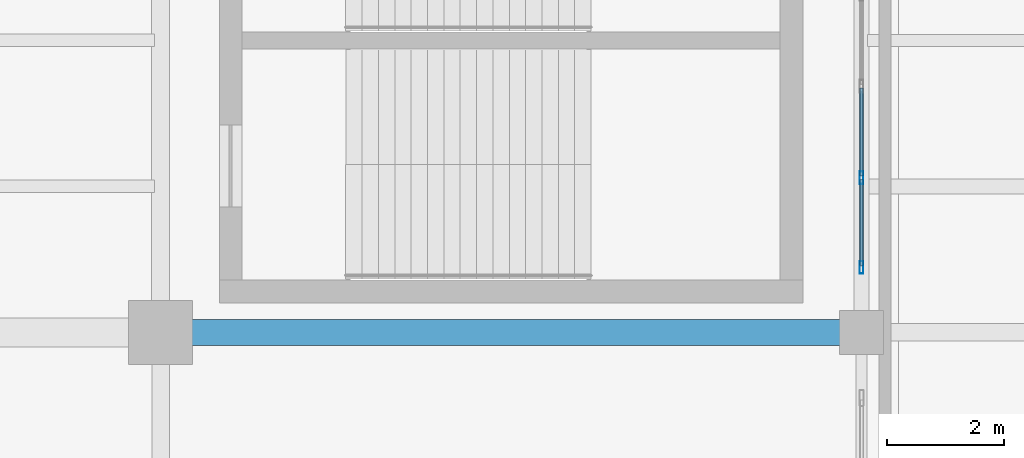
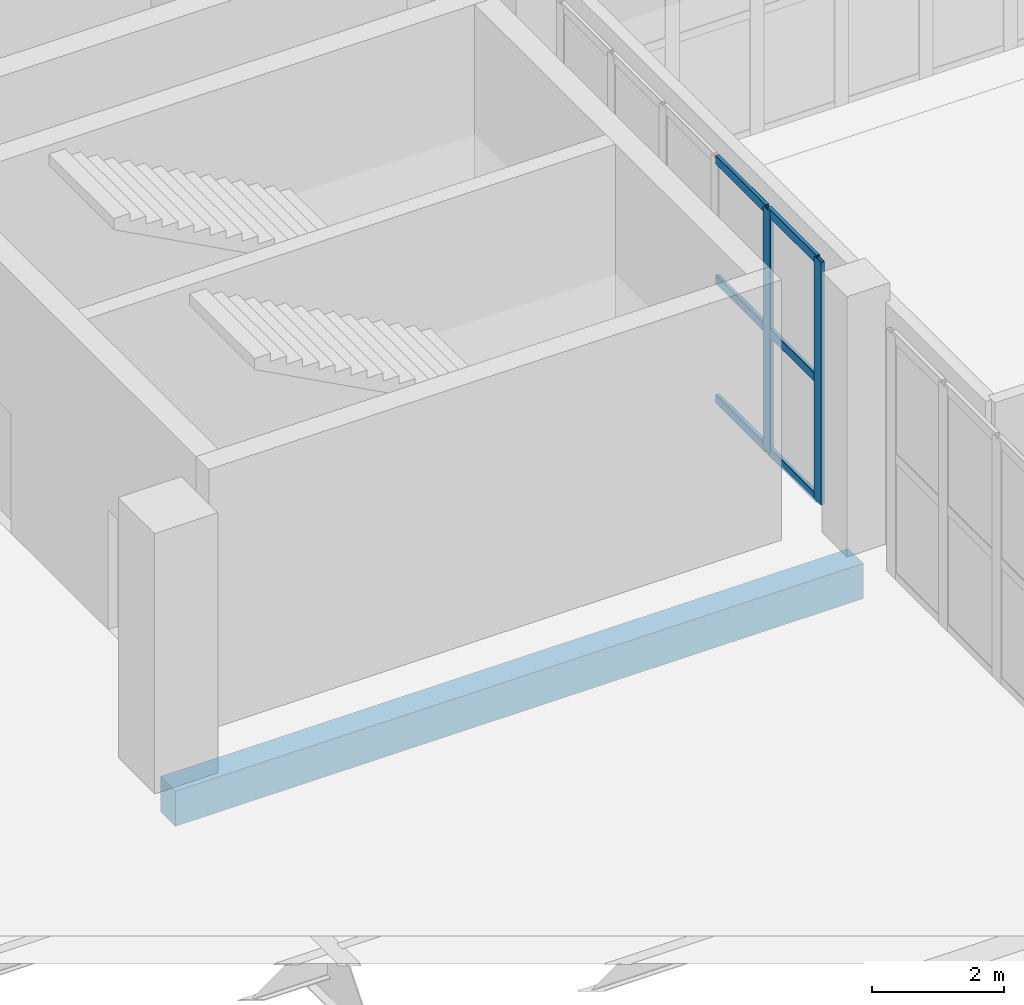
# One storey, part 78 of 136: 8 members, 1 beam, 1 element without a shape of its own.
"""IFC4 building model written with IfcOpenShell, lengths in metres."""

import ifcopenshell
import ifcopenshell.guid

model = None  # the IFC model being written
_history = None  # IfcOwnerHistory: only IFC2X3 demands one
_inside = {}  # id of a spatial element -> (the spatial element, [elements in it])
_under = {}  # id of a project, library or spatial element -> (it, [spatial elements below it])
_declared = {}  # id of a project -> (the project, [libraries it declares])
_typed = {}  # id of a type object -> (the type object, [elements of that type])
_made_of = {}  # id of a material, layer set ... -> (it, [elements and type objects made of it])


def new_model(schema):
    """Start an empty IFC model of exactly this schema.

    Asked for "IFC4X3", IfcOpenShell would pick the latest addendum, in which some entities
    have other attributes; the version numbers below select the first issue.
    IFC2X3 requires an IfcOwnerHistory on every rooted entity: one is made here for all.
    """
    global model, _history
    if schema == "IFC4X3":
        model = ifcopenshell.file(schema_version=(4, 3, 0, 0))
    else:
        model = ifcopenshell.file(schema=schema)
    _inside.clear()
    _under.clear()
    _declared.clear()
    _typed.clear()
    _made_of.clear()
    _history = None
    if model.schema == "IFC2X3":
        org = make("IfcOrganization", Name="unknown")
        user = make(
            "IfcPersonAndOrganization",
            ThePerson=make("IfcPerson", FamilyName="unknown"),
            TheOrganization=org,
        )
        app = make(
            "IfcApplication",
            ApplicationDeveloper=org,
            Version="unknown",
            ApplicationFullName="unknown",
            ApplicationIdentifier="unknown",
        )
        _history = make(
            "IfcOwnerHistory",
            OwningUser=user,
            OwningApplication=app,
            ChangeAction="ADDED",
            CreationDate=0,
        )
    return model


def make(cls, **values):
    """One entity of the class cls with the attributes given. An attribute that is None is left unset."""
    return model.create_entity(
        cls, **{name: value for name, value in values.items() if value is not None}
    )


def rooted(cls, **values):
    """An entity with a GlobalId (a new one), such as an element, a storey or a relation."""
    return make(cls, GlobalId=ifcopenshell.guid.new(), OwnerHistory=_history, **values)


def si_unit(unit_type, name, prefix=None):
    """IfcSIUnit, for example si_unit("LENGTHUNIT", "METRE", prefix="MILLI")."""
    return make("IfcSIUnit", UnitType=unit_type, Prefix=prefix, Name=name)


def assignment(units):
    """IfcUnitAssignment: the units of a project."""
    return None if units is None else make("IfcUnitAssignment", Units=units)


def point(xyz):
    """IfcCartesianPoint."""
    return None if xyz is None else make("IfcCartesianPoint", Coordinates=xyz)


def direction(xyz):
    """IfcDirection."""
    return None if xyz is None else make("IfcDirection", DirectionRatios=xyz)


def frame(location, z_axis=None, x_axis=None):
    """IfcAxis2Placement3D, a coordinate frame: its origin and axes. An axis left out is left unset."""
    return make(
        "IfcAxis2Placement3D",
        Location=point(location),
        Axis=direction(z_axis),
        RefDirection=direction(x_axis),
    )


def frame_2d(location, x_axis=None):
    """IfcAxis2Placement2D, a coordinate frame in the plane: its origin and x axis."""
    return make(
        "IfcAxis2Placement2D", Location=point(location), RefDirection=direction(x_axis)
    )


def origin():
    """The frame at (0, 0, 0) with its axes left unset."""
    return frame((0.0, 0.0, 0.0))


def origin_2d():
    """The frame at (0, 0) in the plane with its x axis left unset."""
    return frame_2d((0.0, 0.0))


def place(relative_to, where):
    """IfcLocalPlacement: puts the frame where relative to a parent placement (None: the world)."""
    return make(
        "IfcLocalPlacement", PlacementRelTo=relative_to, RelativePlacement=where
    )


def context(
    kind, dimensions, precision=None, world=None, true_north=None, identifier=None
):
    """IfcGeometricRepresentationContext, for example the 3D "Model" context."""
    return make(
        "IfcGeometricRepresentationContext",
        ContextIdentifier=identifier,
        ContextType=kind,
        CoordinateSpaceDimension=dimensions,
        Precision=precision,
        WorldCoordinateSystem=world,
        TrueNorth=true_north,
    )


def subcontext(parent, identifier, kind, view, scale=None):
    """IfcGeometricRepresentationSubContext, for example "Body" below "Model"."""
    return make(
        "IfcGeometricRepresentationSubContext",
        ContextIdentifier=identifier,
        ContextType=kind,
        ParentContext=parent,
        TargetScale=scale,
        TargetView=view,
    )


def project(units=None, contexts=None):
    """IfcProject with its units and contexts."""
    return rooted(
        "IfcProject",
        Name="project",
        RepresentationContexts=contexts,
        UnitsInContext=assignment(units),
    )


def spatial(cls, under=None, at=None, **own):
    """A site, building, storey or space (cls), placed at a placement, below another one or the project."""
    s = rooted(cls, ObjectPlacement=at, **own)
    if under is not None:
        _under.setdefault(under.id(), (under, []))[1].append(s)
    return s


def profile(cls, at=None, kind="AREA", **sizes):
    """A parametric profile (cls). Its sizes go by their IFC names, for example OverallWidth=200.0."""
    return make(cls, ProfileType=kind, Position=at, **sizes)


def rectangle(**sizes):
    """IfcRectangleProfileDef."""
    return profile("IfcRectangleProfileDef", **sizes)


def hollow_rectangle(**sizes):
    """IfcRectangleHollowProfileDef."""
    return profile("IfcRectangleHollowProfileDef", **sizes)


def extrude(swept, where, along, depth):
    """IfcExtrudedAreaSolid: the profile swept, set in the frame where, extruded along a direction by depth."""
    return make(
        "IfcExtrudedAreaSolid",
        SweptArea=swept,
        Position=where,
        ExtrudedDirection=direction(along),
        Depth=depth,
    )


def shape(context_of_items, identifier, shape_type, items):
    """IfcShapeRepresentation: the items that make up one representation, for example the "Body"."""
    return make(
        "IfcShapeRepresentation",
        ContextOfItems=context_of_items,
        RepresentationIdentifier=identifier,
        RepresentationType=shape_type,
        Items=items,
    )


def material(Name=None, Category=None):
    """IfcMaterial."""
    return make("IfcMaterial", Name=Name, Category=Category)


def layer(
    of_material, thickness, ventilated=None, Name=None, Category=None, Priority=None
):
    """IfcMaterialLayer: one layer of a wall or slab, of a material (None: an air gap)."""
    return make(
        "IfcMaterialLayer",
        Material=of_material,
        LayerThickness=thickness,
        IsVentilated=ventilated,
        Name=Name,
        Category=Category,
        Priority=Priority,
    )


def layer_set(layers, Name=None):
    """IfcMaterialLayerSet."""
    return make("IfcMaterialLayerSet", MaterialLayers=layers, LayerSetName=Name)


def material_profile(
    of_material, cross_section, Name=None, Category=None, Priority=None
):
    """IfcMaterialProfile: a cross section and its material."""
    return make(
        "IfcMaterialProfile",
        Name=Name,
        Material=of_material,
        Profile=cross_section,
        Priority=Priority,
        Category=Category,
    )


def profile_set(profiles, Name=None, composite=None):
    """IfcMaterialProfileSet."""
    return make(
        "IfcMaterialProfileSet",
        Name=Name,
        MaterialProfiles=profiles,
        CompositeProfile=composite,
    )


def made_of(thing, what):
    """Note that an element or type object is made of a material, layer set ...; save() writes the relation."""
    if what is not None:
        _made_of.setdefault(what.id(), (what, []))[1].append(thing)
    return thing


def type_object(cls, material=None, **own):
    """A type object (cls), such as IfcWallType, which elements share."""
    return made_of(rooted(cls, **own), material)


def element(
    cls,
    number,
    at=None,
    inside=None,
    cuts=None,
    type_object=None,
    material=None,
    context=None,
    identifier="Body",
    shape_type=None,
    held_by="IfcProductDefinitionShape",
    body=None,
    shapes=None,
    **own,
):
    """One element of the class cls, such as IfcWall. Its Tag is "e" and its number.

    at: its placement. inside: the storey or other place that contains it. cuts: it is an
    opening in that element (IfcRelVoidsElement). A single representation is given by context,
    identifier, shape_type and body (its items); several are given by shapes. held_by: the class
    of the entity that holds the representations. save() writes the other relations.
    """
    e = rooted(cls, Tag="e%d" % number, ObjectPlacement=at, **own)
    if body is not None:
        shapes = [shape(context, identifier, shape_type, body)]
    if shapes is not None:
        e.Representation = make(held_by, Representations=shapes)
    if inside is not None:
        _inside.setdefault(inside.id(), (inside, []))[1].append(e)
    if cuts is not None:
        rooted(
            "IfcRelVoidsElement", RelatingBuildingElement=cuts, RelatedOpeningElement=e
        )
    if type_object is not None:
        _typed.setdefault(type_object.id(), (type_object, []))[1].append(e)
    return made_of(e, material)


def aggregate(whole, parts):
    """IfcRelAggregates: a whole, such as a stair, and the parts it consists of."""
    return rooted("IfcRelAggregates", RelatingObject=whole, RelatedObjects=parts)


def save(model, path):
    """Write the relations noted so far, then the file.

    IfcRelAggregates (storeys below a building ...), IfcRelContainedInSpatialStructure (elements
    in a storey), IfcRelDefinesByType, IfcRelAssociatesMaterial and IfcRelDeclares: one each for
    every whole, place, type object, material and project.
    """
    for whole, parts in _under.values():
        aggregate(whole, parts)
    for where, things in _inside.values():
        rooted(
            "IfcRelContainedInSpatialStructure",
            RelatedElements=things,
            RelatingStructure=where,
        )
    for kind, things in _typed.values():
        rooted("IfcRelDefinesByType", RelatedObjects=things, RelatingType=kind)
    for what, things in _made_of.values():
        rooted("IfcRelAssociatesMaterial", RelatedObjects=things, RelatingMaterial=what)
    for by, libraries in _declared.values():
        rooted("IfcRelDeclares", RelatingContext=by, RelatedDefinitions=libraries)
    model.write(path)


model = new_model("IFC4")

# Units and contexts
model_context = context("Model", 3, precision=1e-05, world=origin(), true_north=direction((0.0, 1.0)))
body_context = subcontext(model_context, "Body", "Model", "MODEL_VIEW")
ifc_project = project(units=[si_unit("LENGTHUNIT", "METRE"), si_unit("AREAUNIT", "SQUARE_METRE"), si_unit("VOLUMEUNIT", "CUBIC_METRE"), si_unit("PLANEANGLEUNIT", "RADIAN"), si_unit("MASSUNIT", "GRAM", prefix="KILO")], contexts=[model_context])

# Site, building, storey
site_placement = place(None, origin())
site = spatial("IfcSite", under=ifc_project, at=site_placement, CompositionType="ELEMENT")
building_placement = place(site_placement, origin())
building = spatial("IfcBuilding", under=site, at=building_placement, Name="Brinegate Civic Arena", CompositionType="ELEMENT")
storey_placement = place(building_placement, frame((0.0, 0.0, 5.39990234375)))
storey = spatial("IfcBuildingStorey", under=building, at=storey_placement, Name="L01", CompositionType="ELEMENT", Elevation=5.39990234375)

# Curtain wall, members
ifc_material_1 = material(Name="Marine grade aluminium", Category="aluminium")
ifc_layer = layer(ifc_material_1, 0.199951171875, Name="Marine grade aluminium")
ifc_layer_set = layer_set([ifc_layer], Name="Marine grade aluminium")
curtain_wall_type = type_object("IfcCurtainWallType", Name="CW-BOWL-GLAZED-01", PredefinedType="USERDEFINED", material=ifc_layer_set)
curtain_wall_placement = place(storey_placement, origin())
curtain_wall = element("IfcCurtainWall", 1, at=curtain_wall_placement, inside=storey, type_object=curtain_wall_type, Name="Curtain Wall CWA-055", ObjectType="GLAZED CURTAIN WALL", PredefinedType="USERDEFINED")
ifc_material_profile_1 = material_profile(ifc_material_1, hollow_rectangle(XDim=0.06494140625, YDim=0.219970703125, WallThickness=0.006103515625, InnerFilletRadius=0.00390625, OuterFilletRadius=0.008056640625, at=origin_2d()), Name="MUL65X220")
ifc_profile_set_1 = profile_set([ifc_material_profile_1], Name="Marine grade aluminium")
member_type_1 = type_object("IfcMemberType", Name="CW-MULLION-65X220", PredefinedType="MULLION", material=ifc_profile_set_1)
member_1_placement = place(storey_placement, frame((168.0, 73.112548828125, 0.0), z_axis=(0.0, 0.0, 1.0), x_axis=(-1.0, 0.0, 0.0)))
member_1 = element("IfcMember", 2, at=member_1_placement, type_object=member_type_1, Name="CWA-055 mullion 1", PredefinedType="MULLION", context=body_context, shape_type="SweptSolid", body=[
    extrude(hollow_rectangle(XDim=0.06494140625, YDim=0.219970703125, WallThickness=0.006103515625, InnerFilletRadius=0.00390625, OuterFilletRadius=0.008056640625, at=origin_2d()), origin(), (0.0, 0.0, 1.0), 4.47021484375),
])
member_2_placement = place(storey_placement, frame((168.0, 74.64794921875, 0.0), z_axis=(0.0, 0.0, 1.0), x_axis=(-1.0, 0.0, 0.0)))
member_2 = element("IfcMember", 3, at=member_2_placement, type_object=member_type_1, Name="CWA-055 mullion 2", PredefinedType="MULLION", context=body_context, shape_type="SweptSolid", body=[
    extrude(hollow_rectangle(XDim=0.06494140625, YDim=0.219970703125, WallThickness=0.006103515625, InnerFilletRadius=0.00390625, OuterFilletRadius=0.008056640625, at=origin_2d()), origin(), (0.0, 0.0, 1.0), 4.47021484375),
])
ifc_material_profile_2 = material_profile(ifc_material_1, hollow_rectangle(XDim=0.06494140625, YDim=0.1650390625, WallThickness=0.0048828125, InnerFilletRadius=0.00390625, OuterFilletRadius=0.008056640625, at=origin_2d()), Name="TRN65X165")
ifc_profile_set_2 = profile_set([ifc_material_profile_2], Name="Marine grade aluminium")
member_type_2 = type_object("IfcMemberType", Name="CW-TRANSOM-65X165", PredefinedType="USERDEFINED", material=ifc_profile_set_2)
member_3_placement = place(storey_placement, frame((168.0, 73.14501953125, 0.03271484375), z_axis=(0.0, 1.0, 0.0), x_axis=(-1.0, 0.0, 0.0)))
member_3 = element("IfcMember", 4, at=member_3_placement, type_object=member_type_2, Name="CWA-055 transom 1.1", ObjectType="TRANSOM", PredefinedType="USERDEFINED", context=body_context, shape_type="SweptSolid", body=[
    extrude(hollow_rectangle(XDim=0.06494140625, YDim=0.1650390625, WallThickness=0.0048828125, InnerFilletRadius=0.00390625, OuterFilletRadius=0.008056640625, at=origin_2d()), origin(), (0.0, 0.0, 1.0), 1.470458984375),
])
member_4_placement = place(storey_placement, frame((168.0, 73.14501953125, 2.235107421875), z_axis=(0.0, 1.0, 0.0), x_axis=(-1.0, 0.0, 0.0)))
member_4 = element("IfcMember", 5, at=member_4_placement, type_object=member_type_2, Name="CWA-055 transom 1.2", ObjectType="TRANSOM", PredefinedType="USERDEFINED", context=body_context, shape_type="SweptSolid", body=[
    extrude(hollow_rectangle(XDim=0.06494140625, YDim=0.1650390625, WallThickness=0.0048828125, InnerFilletRadius=0.00390625, OuterFilletRadius=0.008056640625, at=origin_2d()), origin(), (0.0, 0.0, 1.0), 1.470458984375),
])
member_5_placement = place(storey_placement, frame((168.0, 73.14501953125, 4.4375), z_axis=(0.0, 1.0, 0.0), x_axis=(-1.0, 0.0, 0.0)))
member_5 = element("IfcMember", 6, at=member_5_placement, type_object=member_type_2, Name="CWA-055 transom 1.3", ObjectType="TRANSOM", PredefinedType="USERDEFINED", context=body_context, shape_type="SweptSolid", body=[
    extrude(hollow_rectangle(XDim=0.06494140625, YDim=0.1650390625, WallThickness=0.0048828125, InnerFilletRadius=0.00390625, OuterFilletRadius=0.008056640625, at=origin_2d()), origin(), (0.0, 0.0, 1.0), 1.470458984375),
])
member_6_placement = place(storey_placement, frame((168.0, 74.680419921875, 0.03271484375), z_axis=(0.0, 1.0, 0.0), x_axis=(-1.0, 0.0, 0.0)))
member_6 = element("IfcMember", 7, at=member_6_placement, type_object=member_type_2, Name="CWA-055 transom 2.1", ObjectType="TRANSOM", PredefinedType="USERDEFINED", context=body_context, shape_type="SweptSolid", body=[
    extrude(hollow_rectangle(XDim=0.06494140625, YDim=0.1650390625, WallThickness=0.0048828125, InnerFilletRadius=0.00390625, OuterFilletRadius=0.008056640625, at=origin_2d()), origin(), (0.0, 0.0, 1.0), 1.503173828125),
])
member_7_placement = place(storey_placement, frame((168.0, 74.680419921875, 2.235107421875), z_axis=(0.0, 1.0, 0.0), x_axis=(-1.0, 0.0, 0.0)))
member_7 = element("IfcMember", 8, at=member_7_placement, type_object=member_type_2, Name="CWA-055 transom 2.2", ObjectType="TRANSOM", PredefinedType="USERDEFINED", context=body_context, shape_type="SweptSolid", body=[
    extrude(hollow_rectangle(XDim=0.06494140625, YDim=0.1650390625, WallThickness=0.0048828125, InnerFilletRadius=0.00390625, OuterFilletRadius=0.008056640625, at=origin_2d()), origin(), (0.0, 0.0, 1.0), 1.503173828125),
])
member_8_placement = place(storey_placement, frame((168.0, 74.680419921875, 4.4375), z_axis=(0.0, 1.0, 0.0), x_axis=(-1.0, 0.0, 0.0)))
member_8 = element("IfcMember", 9, at=member_8_placement, type_object=member_type_2, Name="CWA-055 transom 2.3", ObjectType="TRANSOM", PredefinedType="USERDEFINED", context=body_context, shape_type="SweptSolid", body=[
    extrude(hollow_rectangle(XDim=0.06494140625, YDim=0.1650390625, WallThickness=0.0048828125, InnerFilletRadius=0.00390625, OuterFilletRadius=0.008056640625, at=origin_2d()), origin(), (0.0, 0.0, 1.0), 1.503173828125),
])
aggregate(curtain_wall, [member_1, member_2, member_3, member_4, member_5, member_6, member_7, member_8])

# Beam
ifc_material_2 = material(Name="Concrete C50/60", Category="concrete")
ifc_material_profile_3 = material_profile(ifc_material_2, rectangle(XDim=0.449951171875, YDim=0.64990234375, at=origin_2d()), Name="RCB450X650")
ifc_profile_set_3 = profile_set([ifc_material_profile_3], Name="Concrete C50/60")
beam_type = type_object("IfcBeamType", Name="RCG-450X650", PredefinedType="BEAM", material=ifc_profile_set_3)
beam_placement = place(storey_placement, frame((156.0, 72.0, -0.664794921875), z_axis=(1.0, 0.0, 0.0), x_axis=(0.0, 1.0, 0.0)))
element("IfcBeam", 10, at=beam_placement, inside=storey, type_object=beam_type, Name="Floor Girder BM-L01-GX-13-07", PredefinedType="BEAM", context=body_context, shape_type="SweptSolid", body=[
    extrude(rectangle(XDim=0.449951171875, YDim=0.64990234375, at=origin_2d()), origin(), (0.0, 0.0, 1.0), 12.0),
])

save(model, "model.ifc")
